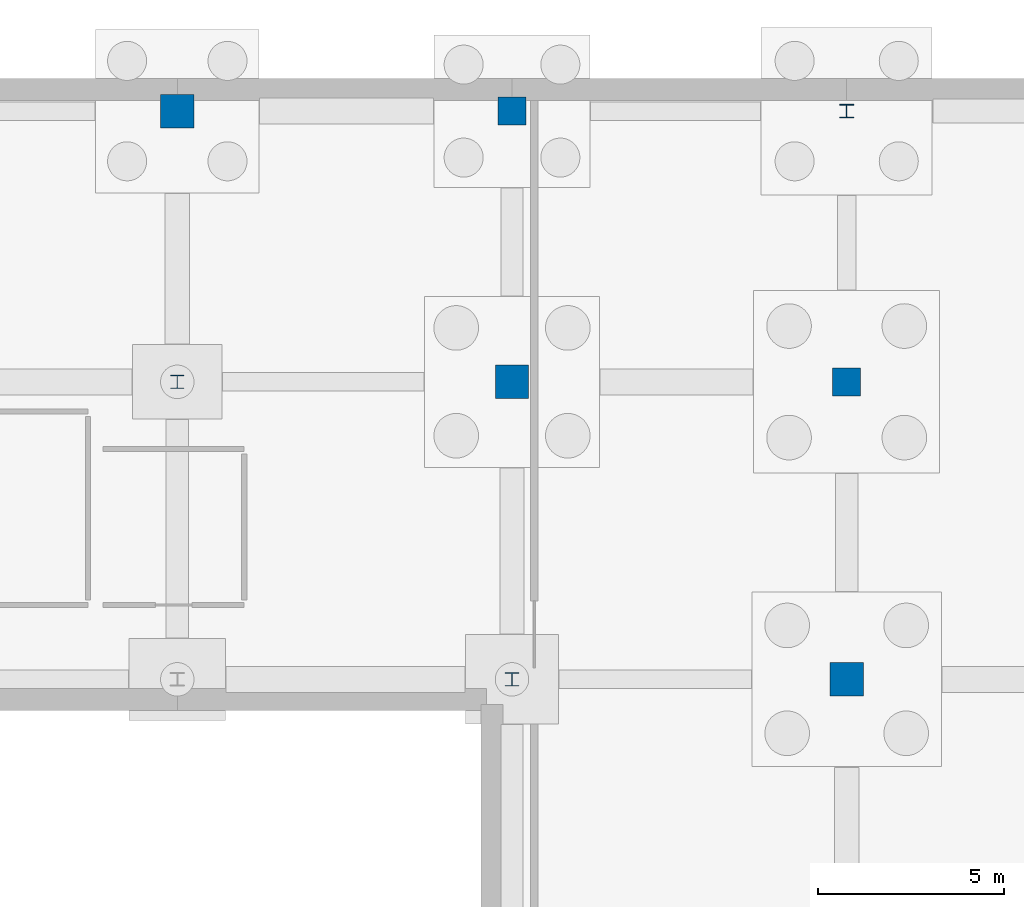
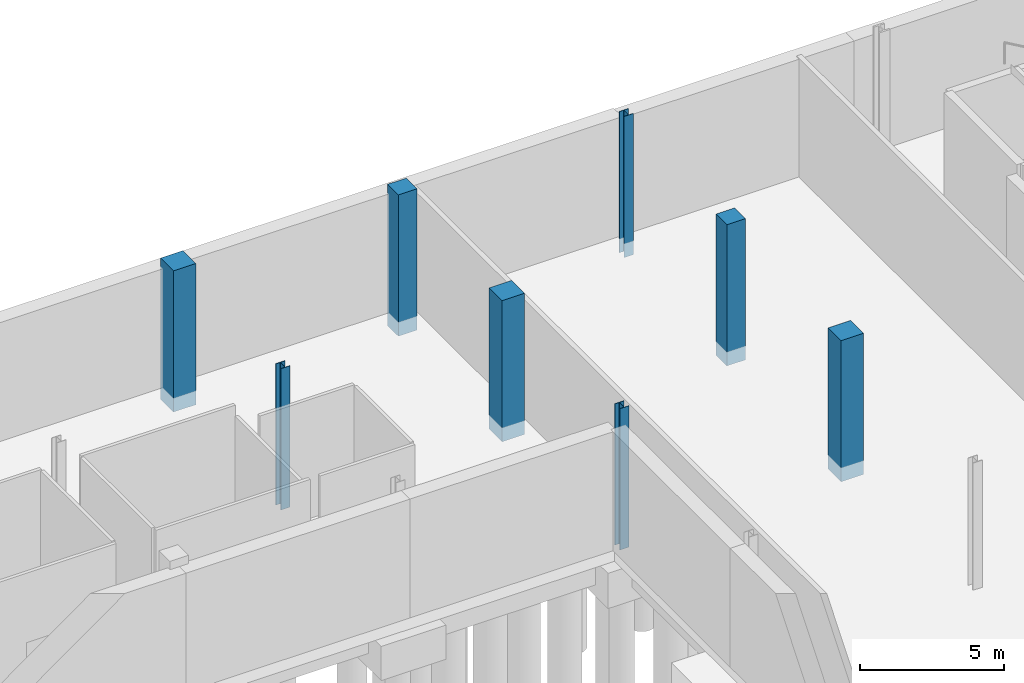
# One storey, part 27 of 60: 8 columns.
"""IFC4 building model written with IfcOpenShell, lengths in metres."""

from ifc_helpers import new_model, si_unit, direction, frame, origin, origin_2d, place, context, subcontext, project, spatial, rectangle, i_section, extrude, material, material_profile, profile_set, type_object, element, save


model = new_model("IFC4")

# Units and contexts
model_context = context("Model", 3, precision=1e-05, world=origin(), true_north=direction((0.0, 1.0)))
body_context = subcontext(model_context, "Body", "Model", "MODEL_VIEW")
ifc_project = project(units=[si_unit("LENGTHUNIT", "METRE"), si_unit("AREAUNIT", "SQUARE_METRE"), si_unit("VOLUMEUNIT", "CUBIC_METRE"), si_unit("PLANEANGLEUNIT", "RADIAN"), si_unit("MASSUNIT", "GRAM", prefix="KILO")], contexts=[model_context])

# Site, building, storey
site_placement = place(None, origin())
site = spatial("IfcSite", under=ifc_project, at=site_placement, CompositionType="ELEMENT")
building_placement = place(site_placement, origin())
building = spatial("IfcBuilding", under=site, at=building_placement, Name="Trimount Lyric Opera House", CompositionType="ELEMENT")
storey_placement = place(building_placement, frame((0.0, 0.0, -5.39990234375)))
storey = spatial("IfcBuildingStorey", under=building, at=storey_placement, Name="B1", CompositionType="ELEMENT", Elevation=-5.39990234375)

# Columns
ifc_material_1 = material(Name="Steel ASTM A992 Grade 50", Category="steel")
ifc_material_profile_1 = material_profile(ifc_material_1, i_section(OverallWidth=0.373046875, OverallDepth=0.367919921875, WebThickness=0.014892578125, FlangeThickness=0.02392578125, FilletRadius=0.014892578125, at=origin_2d()), Name="W14X120")
ifc_profile_set_1 = profile_set([ifc_material_profile_1], Name="Steel ASTM A992 Grade 50")
column_type_1 = type_object("IfcColumnType", Name="C-04", PredefinedType="COLUMN", material=ifc_profile_set_1)
for number, where, z_axis, x_axis, name in (
    (1, (36.0, 110.0, -0.60009765625), (0.0, 0.0, 1.0), (1.0, 0.0, 0.0), "B1 column 5/N"),
    (2, (45.0, 102.0, -0.60009765625), (0.0, 0.0, 1.0), (1.0, 0.0, 0.0), "B1 column 6/M"),
):
    element("IfcColumn", number, at=place(storey_placement, frame(where, z_axis=z_axis, x_axis=x_axis)), inside=storey, type_object=column_type_1, Name=name, PredefinedType="COLUMN", context=body_context, shape_type="SweptSolid", body=[
        extrude(i_section(OverallWidth=0.373046875, OverallDepth=0.367919921875, WebThickness=0.014892578125, FlangeThickness=0.02392578125, FilletRadius=0.014892578125, at=origin_2d()), origin(), (0.0, 0.0, 1.0), 6.0),
    ])
ifc_material_2 = material(Name="Steel ASTM A992 Grade 50", Category="steel")
ifc_material_profile_2 = material_profile(ifc_material_2, i_section(OverallWidth=0.367919921875, OverallDepth=0.35595703125, WebThickness=0.01123046875, FlangeThickness=0.01806640625, FilletRadius=0.014892578125, at=origin_2d()), Name="W14X90")
ifc_profile_set_2 = profile_set([ifc_material_profile_2], Name="Steel ASTM A992 Grade 50")
column_type_2 = type_object("IfcColumnType", Name="C-09", PredefinedType="COLUMN", material=ifc_profile_set_2)
column_placement = place(storey_placement, frame((54.0, 117.280029296875, -0.60009765625), z_axis=(0.0, 0.0, 1.0), x_axis=(1.0, 0.0, 0.0)))
element("IfcColumn", 3, at=column_placement, inside=storey, type_object=column_type_2, Name="B1 column 7/P", PredefinedType="COLUMN", context=body_context, shape_type="SweptSolid", body=[
    extrude(i_section(OverallWidth=0.367919921875, OverallDepth=0.35595703125, WebThickness=0.01123046875, FlangeThickness=0.01806640625, FilletRadius=0.014892578125, at=origin_2d()), origin(), (0.0, 0.0, 1.0), 6.0),
])
ifc_material_3 = material(Name="Concrete C50/60", Category="concrete")
ifc_material_profile_3 = material_profile(ifc_material_3, rectangle(XDim=0.89990234375, YDim=0.89990234375, at=origin_2d()), Name="RC900X900")
ifc_profile_set_3 = profile_set([ifc_material_profile_3], Name="Concrete C50/60")
column_type_3 = type_object("IfcColumnType", Name="C-13", PredefinedType="COLUMN", material=ifc_profile_set_3)
for number, where, z_axis, x_axis, name in (
    (4, (36.0, 117.280029296875, -0.60009765625), (0.0, 0.0, 1.0), (1.0, 0.0, 0.0), "B1 column 5/P"),
    (5, (45.0, 110.0, -0.60009765625), (0.0, 0.0, 1.0), (1.0, 0.0, 0.0), "B1 column 6/N"),
    (6, (54.0, 102.0, -0.60009765625), (0.0, 0.0, 1.0), (1.0, 0.0, 0.0), "B1 column 7/M"),
):
    element("IfcColumn", number, at=place(storey_placement, frame(where, z_axis=z_axis, x_axis=x_axis)), inside=storey, type_object=column_type_3, Name=name, PredefinedType="COLUMN", context=body_context, shape_type="SweptSolid", body=[
        extrude(rectangle(XDim=0.89990234375, YDim=0.89990234375, at=origin_2d()), origin(), (0.0, 0.0, 1.0), 6.0),
    ])
ifc_material_4 = material(Name="Concrete C40/50", Category="concrete")
ifc_material_profile_4 = material_profile(ifc_material_4, rectangle(XDim=0.75, YDim=0.75, at=origin_2d()), Name="RC750X750")
ifc_profile_set_4 = profile_set([ifc_material_profile_4], Name="Concrete C40/50")
column_type_4 = type_object("IfcColumnType", Name="C-15", PredefinedType="COLUMN", material=ifc_profile_set_4)
for number, where, z_axis, x_axis, name in (
    (7, (45.0, 117.280029296875, -0.60009765625), (0.0, 0.0, 1.0), (1.0, 0.0, 0.0), "B1 column 6/P"),
    (8, (54.0, 110.0, -0.60009765625), (0.0, 0.0, 1.0), (1.0, 0.0, 0.0), "B1 column 7/N"),
):
    element("IfcColumn", number, at=place(storey_placement, frame(where, z_axis=z_axis, x_axis=x_axis)), inside=storey, type_object=column_type_4, Name=name, PredefinedType="COLUMN", context=body_context, shape_type="SweptSolid", body=[
        extrude(rectangle(XDim=0.75, YDim=0.75, at=origin_2d()), origin(), (0.0, 0.0, 1.0), 6.0),
    ])

save(model, "model.ifc")
